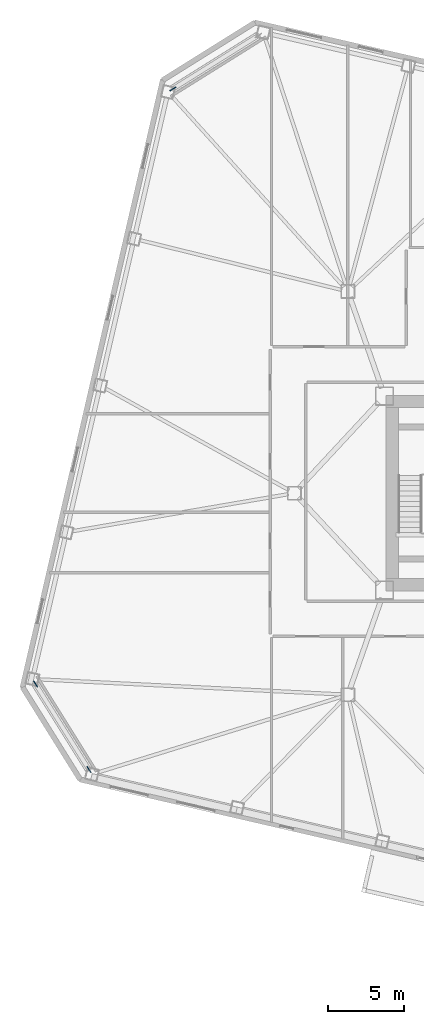
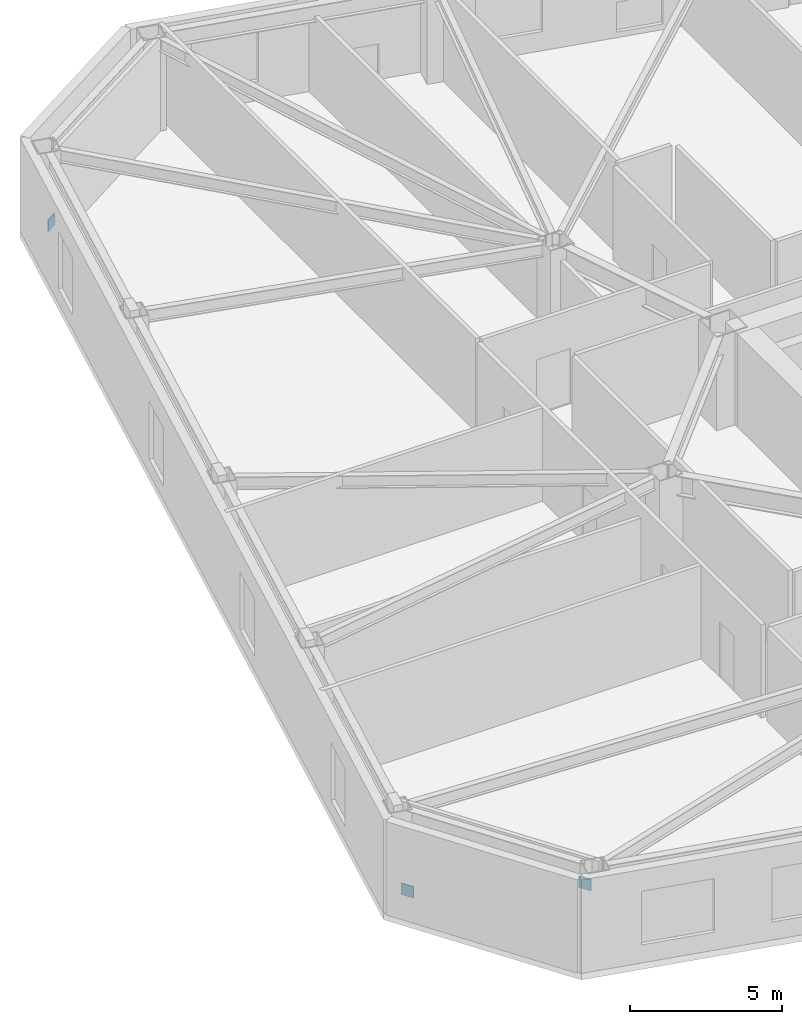
# One storey, part 18 of 22: 3 discrete accessories.
"""IFC4 building model written with IfcOpenShell, lengths in metres."""

import ifcopenshell
import ifcopenshell.guid

model = None  # the IFC model being written
_history = None  # IfcOwnerHistory: only IFC2X3 demands one
_inside = {}  # id of a spatial element -> (the spatial element, [elements in it])
_under = {}  # id of a project, library or spatial element -> (it, [spatial elements below it])
_declared = {}  # id of a project -> (the project, [libraries it declares])
_typed = {}  # id of a type object -> (the type object, [elements of that type])
_made_of = {}  # id of a material, layer set ... -> (it, [elements and type objects made of it])


def new_model(schema):
    """Start an empty IFC model of exactly this schema.

    Asked for "IFC4X3", IfcOpenShell would pick the latest addendum, in which some entities
    have other attributes; the version numbers below select the first issue.
    IFC2X3 requires an IfcOwnerHistory on every rooted entity: one is made here for all.
    """
    global model, _history
    if schema == "IFC4X3":
        model = ifcopenshell.file(schema_version=(4, 3, 0, 0))
    else:
        model = ifcopenshell.file(schema=schema)
    _inside.clear()
    _under.clear()
    _declared.clear()
    _typed.clear()
    _made_of.clear()
    _history = None
    if model.schema == "IFC2X3":
        org = make("IfcOrganization", Name="unknown")
        user = make(
            "IfcPersonAndOrganization",
            ThePerson=make("IfcPerson", FamilyName="unknown"),
            TheOrganization=org,
        )
        app = make(
            "IfcApplication",
            ApplicationDeveloper=org,
            Version="unknown",
            ApplicationFullName="unknown",
            ApplicationIdentifier="unknown",
        )
        _history = make(
            "IfcOwnerHistory",
            OwningUser=user,
            OwningApplication=app,
            ChangeAction="ADDED",
            CreationDate=0,
        )
    return model


def make(cls, **values):
    """One entity of the class cls with the attributes given. An attribute that is None is left unset."""
    return model.create_entity(
        cls, **{name: value for name, value in values.items() if value is not None}
    )


def rooted(cls, **values):
    """An entity with a GlobalId (a new one), such as an element, a storey or a relation."""
    return make(cls, GlobalId=ifcopenshell.guid.new(), OwnerHistory=_history, **values)


def si_unit(unit_type, name, prefix=None):
    """IfcSIUnit, for example si_unit("LENGTHUNIT", "METRE", prefix="MILLI")."""
    return make("IfcSIUnit", UnitType=unit_type, Prefix=prefix, Name=name)


def assignment(units):
    """IfcUnitAssignment: the units of a project."""
    return None if units is None else make("IfcUnitAssignment", Units=units)


def point(xyz):
    """IfcCartesianPoint."""
    return None if xyz is None else make("IfcCartesianPoint", Coordinates=xyz)


def direction(xyz):
    """IfcDirection."""
    return None if xyz is None else make("IfcDirection", DirectionRatios=xyz)


def frame(location, z_axis=None, x_axis=None):
    """IfcAxis2Placement3D, a coordinate frame: its origin and axes. An axis left out is left unset."""
    return make(
        "IfcAxis2Placement3D",
        Location=point(location),
        Axis=direction(z_axis),
        RefDirection=direction(x_axis),
    )


def frame_2d(location, x_axis=None):
    """IfcAxis2Placement2D, a coordinate frame in the plane: its origin and x axis."""
    return make(
        "IfcAxis2Placement2D", Location=point(location), RefDirection=direction(x_axis)
    )


def origin():
    """The frame at (0, 0, 0) with its axes left unset."""
    return frame((0.0, 0.0, 0.0))


def origin_2d():
    """The frame at (0, 0) in the plane with its x axis left unset."""
    return frame_2d((0.0, 0.0))


def place(relative_to, where):
    """IfcLocalPlacement: puts the frame where relative to a parent placement (None: the world)."""
    return make(
        "IfcLocalPlacement", PlacementRelTo=relative_to, RelativePlacement=where
    )


def context(
    kind, dimensions, precision=None, world=None, true_north=None, identifier=None
):
    """IfcGeometricRepresentationContext, for example the 3D "Model" context."""
    return make(
        "IfcGeometricRepresentationContext",
        ContextIdentifier=identifier,
        ContextType=kind,
        CoordinateSpaceDimension=dimensions,
        Precision=precision,
        WorldCoordinateSystem=world,
        TrueNorth=true_north,
    )


def subcontext(parent, identifier, kind, view, scale=None):
    """IfcGeometricRepresentationSubContext, for example "Body" below "Model"."""
    return make(
        "IfcGeometricRepresentationSubContext",
        ContextIdentifier=identifier,
        ContextType=kind,
        ParentContext=parent,
        TargetScale=scale,
        TargetView=view,
    )


def project(units=None, contexts=None):
    """IfcProject with its units and contexts."""
    return rooted(
        "IfcProject",
        Name="project",
        RepresentationContexts=contexts,
        UnitsInContext=assignment(units),
    )


def spatial(cls, under=None, at=None, **own):
    """A site, building, storey or space (cls), placed at a placement, below another one or the project."""
    s = rooted(cls, ObjectPlacement=at, **own)
    if under is not None:
        _under.setdefault(under.id(), (under, []))[1].append(s)
    return s


def profile(cls, at=None, kind="AREA", **sizes):
    """A parametric profile (cls). Its sizes go by their IFC names, for example OverallWidth=200.0."""
    return make(cls, ProfileType=kind, Position=at, **sizes)


def rectangle(**sizes):
    """IfcRectangleProfileDef."""
    return profile("IfcRectangleProfileDef", **sizes)


def extrude(swept, where, along, depth):
    """IfcExtrudedAreaSolid: the profile swept, set in the frame where, extruded along a direction by depth."""
    return make(
        "IfcExtrudedAreaSolid",
        SweptArea=swept,
        Position=where,
        ExtrudedDirection=direction(along),
        Depth=depth,
    )


def shape(context_of_items, identifier, shape_type, items):
    """IfcShapeRepresentation: the items that make up one representation, for example the "Body"."""
    return make(
        "IfcShapeRepresentation",
        ContextOfItems=context_of_items,
        RepresentationIdentifier=identifier,
        RepresentationType=shape_type,
        Items=items,
    )


def material(Name=None, Category=None):
    """IfcMaterial."""
    return make("IfcMaterial", Name=Name, Category=Category)


def made_of(thing, what):
    """Note that an element or type object is made of a material, layer set ...; save() writes the relation."""
    if what is not None:
        _made_of.setdefault(what.id(), (what, []))[1].append(thing)
    return thing


def type_object(cls, material=None, **own):
    """A type object (cls), such as IfcWallType, which elements share."""
    return made_of(rooted(cls, **own), material)


def element(
    cls,
    number,
    at=None,
    inside=None,
    cuts=None,
    type_object=None,
    material=None,
    context=None,
    identifier="Body",
    shape_type=None,
    held_by="IfcProductDefinitionShape",
    body=None,
    shapes=None,
    **own,
):
    """One element of the class cls, such as IfcWall. Its Tag is "e" and its number.

    at: its placement. inside: the storey or other place that contains it. cuts: it is an
    opening in that element (IfcRelVoidsElement). A single representation is given by context,
    identifier, shape_type and body (its items); several are given by shapes. held_by: the class
    of the entity that holds the representations. save() writes the other relations.
    """
    e = rooted(cls, Tag="e%d" % number, ObjectPlacement=at, **own)
    if body is not None:
        shapes = [shape(context, identifier, shape_type, body)]
    if shapes is not None:
        e.Representation = make(held_by, Representations=shapes)
    if inside is not None:
        _inside.setdefault(inside.id(), (inside, []))[1].append(e)
    if cuts is not None:
        rooted(
            "IfcRelVoidsElement", RelatingBuildingElement=cuts, RelatedOpeningElement=e
        )
    if type_object is not None:
        _typed.setdefault(type_object.id(), (type_object, []))[1].append(e)
    return made_of(e, material)


def aggregate(whole, parts):
    """IfcRelAggregates: a whole, such as a stair, and the parts it consists of."""
    return rooted("IfcRelAggregates", RelatingObject=whole, RelatedObjects=parts)


def save(model, path):
    """Write the relations noted so far, then the file.

    IfcRelAggregates (storeys below a building ...), IfcRelContainedInSpatialStructure (elements
    in a storey), IfcRelDefinesByType, IfcRelAssociatesMaterial and IfcRelDeclares: one each for
    every whole, place, type object, material and project.
    """
    for whole, parts in _under.values():
        aggregate(whole, parts)
    for where, things in _inside.values():
        rooted(
            "IfcRelContainedInSpatialStructure",
            RelatedElements=things,
            RelatingStructure=where,
        )
    for kind, things in _typed.values():
        rooted("IfcRelDefinesByType", RelatedObjects=things, RelatingType=kind)
    for what, things in _made_of.values():
        rooted("IfcRelAssociatesMaterial", RelatedObjects=things, RelatingMaterial=what)
    for by, libraries in _declared.values():
        rooted("IfcRelDeclares", RelatingContext=by, RelatedDefinitions=libraries)
    model.write(path)


model = new_model("IFC4")

# Units and contexts
model_context = context("Model", 3, precision=1e-05, world=origin(), true_north=direction((0.0, 1.0)))
body_context = subcontext(model_context, "Body", "Model", "MODEL_VIEW")
ifc_project = project(units=[si_unit("LENGTHUNIT", "METRE"), si_unit("AREAUNIT", "SQUARE_METRE"), si_unit("VOLUMEUNIT", "CUBIC_METRE"), si_unit("PLANEANGLEUNIT", "RADIAN"), si_unit("MASSUNIT", "GRAM", prefix="KILO")], contexts=[model_context])

# Site, building, storey
site_placement = place(None, origin())
site = spatial("IfcSite", under=ifc_project, at=site_placement, CompositionType="ELEMENT")
building_placement = place(site_placement, origin())
building = spatial("IfcBuilding", under=site, at=building_placement, Name="Tavrogorsk Clinical Tower", CompositionType="ELEMENT")
storey_placement = place(building_placement, frame((0.0, 0.0, 55.39990234375)))
storey = spatial("IfcBuildingStorey", under=building, at=storey_placement, Name="L11", CompositionType="ELEMENT", Elevation=55.39990234375)

# Discrete accessories
ifc_material = material(Name="Structural steel S440", Category="steel")
discrete_accessory_type = type_object("IfcDiscreteAccessoryType", Name="GussetPlateBracket_25", PredefinedType="BRACKET", material=ifc_material)
for number, where, z_axis, x_axis, name in (
    (1, (-35.951904296875, 26.46240234375, 0.212646484375), (0.0, 0.0, 1.0), (0.848048096156, 0.529919264233, 0.0), "L11 Brace Gusset Plate EXOCRN-L11-3-A"),
    (2, (-44.94580078125, -12.49365234375, 0.212646484375), (0.0, 0.0, 1.0), (0.529919264233, -0.848048096156, 0.0), "L11 Brace Gusset Plate EXOCRN-L11-4-A"),
    (3, (-41.453857421875, -18.081787109375, 2.667724609375), (0.0, 0.0, 1.0), (0.529919264233, -0.848048096156, 0.0), "L11 Brace Gusset Plate EXOCRN-L11-4-B"),
):
    element("IfcDiscreteAccessory", number, at=place(storey_placement, frame(where, z_axis=z_axis, x_axis=x_axis)), inside=storey, type_object=discrete_accessory_type, Name=name, PredefinedType="BRACKET", context=body_context, shape_type="SweptSolid", body=[
        extrude(rectangle(XDim=0.4599609375, YDim=0.0400390625, at=origin_2d()), origin(), (0.0, 0.0, 1.0), 0.4599609375),
    ])

save(model, "model.ifc")
